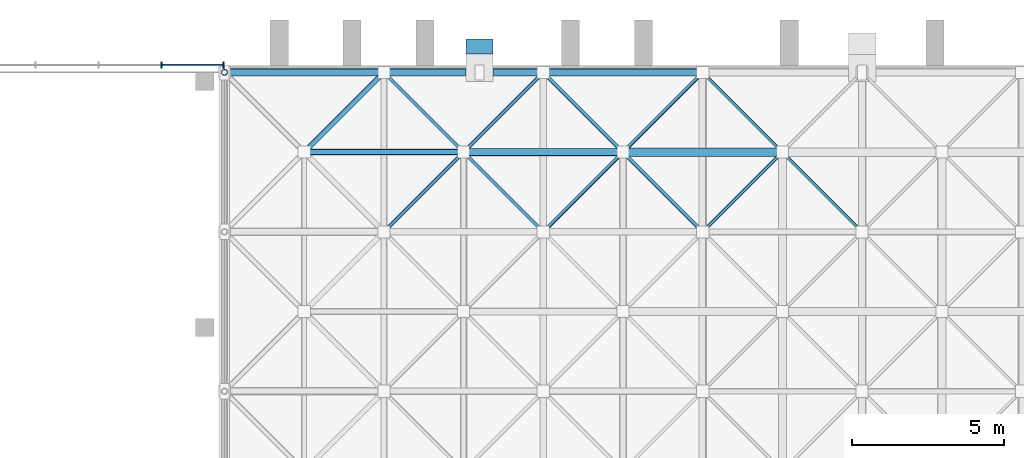
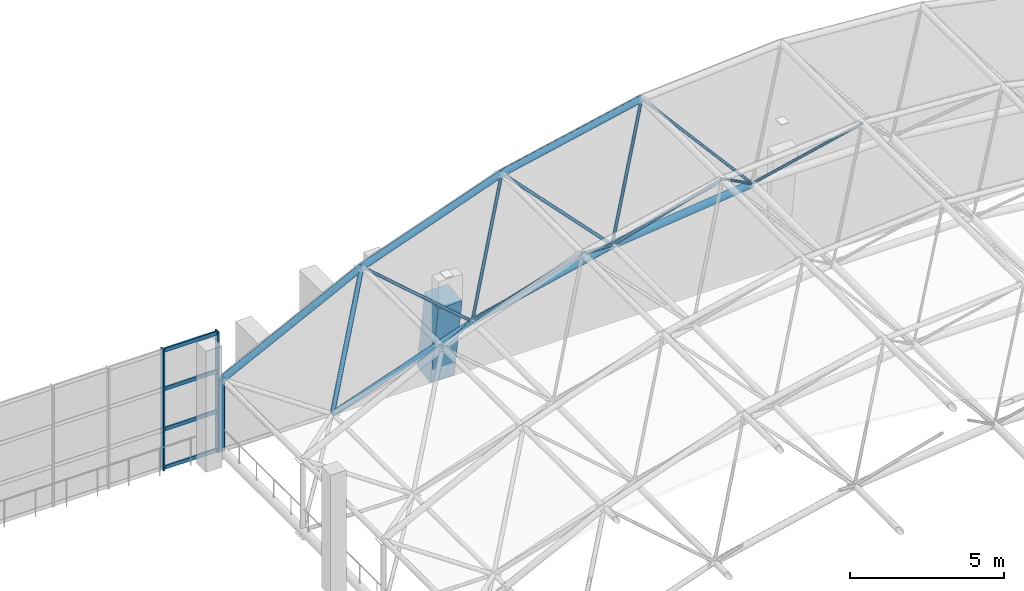
# One storey, part 28 of 100: 26 members, 1 element without a shape of its own.
"""IFC4 building model written with IfcOpenShell, lengths in metres."""

from ifc_helpers import new_model, si_unit, direction, frame, origin, origin_2d, place, context, subcontext, project, spatial, rectangle, hollow_circle, extrude, material, layer, layer_set, material_profile, profile_set, type_object, element, aggregate, save


model = new_model("IFC4")

# Units and contexts
model_context = context("Model", 3, precision=1e-05, world=origin(), true_north=direction((0.0, 1.0)))
body_context = subcontext(model_context, "Body", "Model", "MODEL_VIEW")
ifc_project = project(units=[si_unit("LENGTHUNIT", "METRE"), si_unit("AREAUNIT", "SQUARE_METRE"), si_unit("VOLUMEUNIT", "CUBIC_METRE"), si_unit("PLANEANGLEUNIT", "RADIAN"), si_unit("MASSUNIT", "GRAM", prefix="KILO")], contexts=[model_context])

# Site, building, storey
site_placement = place(None, origin())
site = spatial("IfcSite", under=ifc_project, at=site_placement, CompositionType="ELEMENT")
building_placement = place(site_placement, origin())
building = spatial("IfcBuilding", under=site, at=building_placement, Name="Kiln Court Media Centre", CompositionType="ELEMENT")
storey_placement = place(building_placement, frame((0.0, 0.0, 15.0)))
storey = spatial("IfcBuildingStorey", under=building, at=storey_placement, Name="L03", CompositionType="ELEMENT", Elevation=15.0)

# Curtain wall, members
ifc_material_1 = material(Name="Aluminium 6063-T6", Category="aluminium")
ifc_layer = layer(ifc_material_1, 0.1201171875)
ifc_layer_set = layer_set([ifc_layer], Name="Aluminium stick curtain wall, foyer")
curtain_wall_type = type_object("IfcCurtainWallType", Name="Aluminium stick curtain wall, foyer", PredefinedType="USERDEFINED", material=ifc_layer_set)
curtain_wall_placement = place(storey_placement, origin())
curtain_wall = element("IfcCurtainWall", 1, at=curtain_wall_placement, inside=storey, type_object=curtain_wall_type, Name="Foyer north glazing L03", ObjectType="STICK CURTAIN WALL", PredefinedType="USERDEFINED")
ifc_material_2 = material(Name="Aluminium 6063-T6", Category="aluminium")
ifc_material_profile_1 = material_profile(ifc_material_2, rectangle(XDim=0.06005859375, YDim=0.199951171875, at=origin_2d()), Name="Aluminium hall mullion 60x200")
ifc_profile_set_1 = profile_set([ifc_material_profile_1], Name="Aluminium 6063-T6")
member_type_1 = type_object("IfcMemberType", Name="Aluminium hall mullion 60x200", PredefinedType="MULLION", material=ifc_profile_set_1)
member_1_placement = place(storey_placement, frame((56.72509765625, 67.444580078125, 0.0), z_axis=(0.0, 0.0, 1.0), x_axis=(1.0, 0.0, 0.0)))
member_1 = element("IfcMember", 2, at=member_1_placement, type_object=member_type_1, Name="CW3-61 mullion 10", PredefinedType="MULLION", context=body_context, shape_type="SweptSolid", body=[
    extrude(rectangle(XDim=0.06005859375, YDim=0.199951171875, at=origin_2d()), origin(), (0.0, 0.0, 1.0), 4.800048828125),
])
member_2_placement = place(storey_placement, frame((58.77001953125, 67.444580078125, 0.0), z_axis=(0.0, 0.0, 1.0), x_axis=(1.0, 0.0, 0.0)))
member_2 = element("IfcMember", 3, at=member_2_placement, type_object=member_type_1, Name="CW3-61 mullion 11", PredefinedType="MULLION", context=body_context, shape_type="SweptSolid", body=[
    extrude(rectangle(XDim=0.06005859375, YDim=0.199951171875, at=origin_2d()), origin(), (0.0, 0.0, 1.0), 4.800048828125),
])
ifc_material_3 = material(Name="Aluminium 6063-T6", Category="aluminium")
ifc_material_profile_2 = material_profile(ifc_material_3, rectangle(XDim=0.06005859375, YDim=0.14990234375, at=origin_2d()), Name="Aluminium hall transom 60x150")
ifc_profile_set_2 = profile_set([ifc_material_profile_2], Name="Aluminium 6063-T6")
member_type_2 = type_object("IfcMemberType", Name="Aluminium hall transom 60x150", PredefinedType="USERDEFINED", material=ifc_profile_set_2)
member_3_placement = place(storey_placement, frame((56.7548828125, 67.444580078125, 0.074951171875), z_axis=(1.0, 0.0, 0.0), x_axis=(0.0, 1.0, 0.0)))
member_3 = element("IfcMember", 4, at=member_3_placement, type_object=member_type_2, Name="CW3-61 transom 10.1", ObjectType="TRANSOM", PredefinedType="USERDEFINED", context=body_context, shape_type="SweptSolid", body=[
    extrude(rectangle(XDim=0.06005859375, YDim=0.14990234375, at=origin_2d()), origin(), (0.0, 0.0, 1.0), 1.985107421875),
])
member_4_placement = place(storey_placement, frame((56.7548828125, 67.444580078125, 1.60009765625), z_axis=(1.0, 0.0, 0.0), x_axis=(0.0, 1.0, 0.0)))
member_4 = element("IfcMember", 5, at=member_4_placement, type_object=member_type_2, Name="CW3-61 transom 10.2", ObjectType="TRANSOM", PredefinedType="USERDEFINED", context=body_context, shape_type="SweptSolid", body=[
    extrude(rectangle(XDim=0.06005859375, YDim=0.14990234375, at=origin_2d()), origin(), (0.0, 0.0, 1.0), 1.985107421875),
])
member_5_placement = place(storey_placement, frame((56.7548828125, 67.444580078125, 3.199951171875), z_axis=(1.0, 0.0, 0.0), x_axis=(0.0, 1.0, 0.0)))
member_5 = element("IfcMember", 6, at=member_5_placement, type_object=member_type_2, Name="CW3-61 transom 10.3", ObjectType="TRANSOM", PredefinedType="USERDEFINED", context=body_context, shape_type="SweptSolid", body=[
    extrude(rectangle(XDim=0.06005859375, YDim=0.14990234375, at=origin_2d()), origin(), (0.0, 0.0, 1.0), 1.985107421875),
])
member_6_placement = place(storey_placement, frame((56.7548828125, 67.444580078125, 4.72509765625), z_axis=(1.0, 0.0, 0.0), x_axis=(0.0, 1.0, 0.0)))
member_6 = element("IfcMember", 7, at=member_6_placement, type_object=member_type_2, Name="CW3-61 transom 10.4", ObjectType="TRANSOM", PredefinedType="USERDEFINED", context=body_context, shape_type="SweptSolid", body=[
    extrude(rectangle(XDim=0.06005859375, YDim=0.14990234375, at=origin_2d()), origin(), (0.0, 0.0, 1.0), 1.985107421875),
])
aggregate(curtain_wall, [member_1, member_2, member_3, member_4, member_5, member_6])

# Members
ifc_material_4 = material(Name="Concrete C40/50", Category="concrete")
ifc_material_profile_3 = material_profile(ifc_material_4, rectangle(XDim=0.89990234375, YDim=0.89990234375, at=origin_2d()), Name="RC 900x900")
ifc_profile_set_3 = profile_set([ifc_material_profile_3], Name="Concrete C40/50")
member_type_3 = type_object("IfcMemberType", Name="Concrete C40/50 raked column 900x900", PredefinedType="STRUT", material=ifc_profile_set_3)
member_7_placement = place(storey_placement, frame((67.199951171875, 67.86279296875, 0.0), z_axis=(0.0, -0.153990121436, 0.988072387277), x_axis=(1.0, 0.0, 0.0)))
element("IfcMember", 8, at=member_7_placement, inside=storey, type_object=member_type_3, Name="L03-M-1000", PredefinedType="STRUT", context=body_context, shape_type="SweptSolid", body=[
    extrude(rectangle(XDim=0.89990234375, YDim=0.89990234375, at=origin_2d()), origin(), (0.0, 0.0, 1.0), 3.29296875),
])
ifc_material_5 = material(Name="Steel ASTM A500 Gr C", Category="steel")
ifc_material_profile_4 = material_profile(ifc_material_5, hollow_circle(Radius=0.05078125, WallThickness=0.0048828125, at=origin_2d()), Name="CHS 101.6x5.0")
ifc_profile_set_4 = profile_set([ifc_material_profile_4], Name="Steel ASTM A500 Gr C")
member_type_4 = type_object("IfcMemberType", Name="Steel ASTM A500 Gr C CHS 101.6x5.0 space frame brace", PredefinedType="BRACE", material=ifc_profile_set_4)
member_8_placement = place(storey_placement, frame((77.175048828125, 64.574951171875, 5.926513671875), z_axis=(-0.571963592053, -0.571963592053, 0.587975593653), x_axis=(0.707106781187, -0.707106781187, 0.0)))
element("IfcMember", 9, at=member_8_placement, inside=storey, type_object=member_type_4, Name="V1 roof diagonal 4-8 space frame brace", PredefinedType="BRACE", context=body_context, shape_type="SweptSolid", body=[
    extrude(hollow_circle(Radius=0.05078125, WallThickness=0.0048828125, at=origin_2d()), origin(), (0.0, 0.0, 1.0), 4.58935546875),
])
member_9_placement = place(storey_placement, frame((77.175048828125, 64.574951171875, 5.926513671875), z_axis=(0.544662450541, -0.544662450541, 0.637719083878), x_axis=(0.707106781187, 0.707106781187, 0.0)))
element("IfcMember", 10, at=member_9_placement, inside=storey, type_object=member_type_4, Name="V1 roof diagonal 4-8 space frame brace", PredefinedType="BRACE", context=body_context, shape_type="SweptSolid", body=[
    extrude(hollow_circle(Radius=0.05078125, WallThickness=0.0048828125, at=origin_2d()), origin(), (0.0, 0.0, 1.0), 4.819580078125),
])
member_10_placement = place(storey_placement, frame((77.175048828125, 64.574951171875, 5.926513671875), z_axis=(-0.571963592053, 0.571963592053, 0.587975593653), x_axis=(-0.707106781187, -0.707106781187, 0.0)))
element("IfcMember", 11, at=member_10_placement, inside=storey, type_object=member_type_4, Name="V1 roof diagonal 4-8 space frame brace", PredefinedType="BRACE", context=body_context, shape_type="SweptSolid", body=[
    extrude(hollow_circle(Radius=0.05078125, WallThickness=0.0048828125, at=origin_2d()), origin(), (0.0, 0.0, 1.0), 4.58935546875),
])
ifc_material_6 = material(Name="Steel ASTM A500 Gr C", Category="steel")
ifc_material_profile_5 = material_profile(ifc_material_6, hollow_circle(Radius=0.05712890625, WallThickness=0.0048828125, at=origin_2d()), Name="CHS 114.3x5.0")
ifc_profile_set_5 = profile_set([ifc_material_profile_5], Name="Steel ASTM A500 Gr C")
member_type_5 = type_object("IfcMemberType", Name="Steel ASTM A500 Gr C CHS 114.3x5.0 space frame brace", PredefinedType="BRACE", material=ifc_profile_set_5)
member_11_placement = place(storey_placement, frame((66.675048828125, 64.574951171875, 4.133544921875), z_axis=(-0.656133377529, -0.656133377529, 0.37279750775), x_axis=(0.707106781187, -0.707106781187, 0.0)))
element("IfcMember", 12, at=member_11_placement, inside=storey, type_object=member_type_5, Name="V1 roof diagonal 2-8 space frame brace", PredefinedType="BRACE", context=body_context, shape_type="SweptSolid", body=[
    extrude(hollow_circle(Radius=0.05712890625, WallThickness=0.0048828125, at=origin_2d()), origin(), (0.0, 0.0, 1.0), 4.000732421875),
])
member_12_placement = place(storey_placement, frame((66.675048828125, 64.574951171875, 4.133544921875), z_axis=(0.523804264708, -0.523804264708, 0.671757534046), x_axis=(0.707106781187, 0.707106781187, 0.0)))
element("IfcMember", 13, at=member_12_placement, inside=storey, type_object=member_type_5, Name="V1 roof diagonal 2-8 space frame brace", PredefinedType="BRACE", context=body_context, shape_type="SweptSolid", body=[
    extrude(hollow_circle(Radius=0.05712890625, WallThickness=0.0048828125, at=origin_2d()), origin(), (0.0, 0.0, 1.0), 5.011474609375),
])
member_13_placement = place(storey_placement, frame((66.675048828125, 64.574951171875, 4.133544921875), z_axis=(-0.656133377529, 0.656133377529, 0.37279750775), x_axis=(-0.707106781187, -0.707106781187, 0.0)))
element("IfcMember", 14, at=member_13_placement, inside=storey, type_object=member_type_5, Name="V1 roof diagonal 2-8 space frame brace", PredefinedType="BRACE", context=body_context, shape_type="SweptSolid", body=[
    extrude(hollow_circle(Radius=0.05712890625, WallThickness=0.0048828125, at=origin_2d()), origin(), (0.0, 0.0, 1.0), 4.000732421875),
])
member_14_placement = place(storey_placement, frame((66.675048828125, 64.574951171875, 4.133544921875), z_axis=(0.523804264708, 0.523804264708, 0.671757534046), x_axis=(-0.707106781187, 0.707106781187, 0.0)))
element("IfcMember", 15, at=member_14_placement, inside=storey, type_object=member_type_5, Name="V1 roof diagonal 2-8 space frame brace", PredefinedType="BRACE", context=body_context, shape_type="SweptSolid", body=[
    extrude(hollow_circle(Radius=0.05712890625, WallThickness=0.0048828125, at=origin_2d()), origin(), (0.0, 0.0, 1.0), 5.011474609375),
])
member_15_placement = place(storey_placement, frame((71.925048828125, 64.574951171875, 5.333984375), z_axis=(-0.61074803366, -0.61074803366, 0.503958012894), x_axis=(0.707106781187, -0.707106781187, 0.0)))
element("IfcMember", 16, at=member_15_placement, inside=storey, type_object=member_type_5, Name="V1 roof diagonal 3-8 space frame brace", PredefinedType="BRACE", context=body_context, shape_type="SweptSolid", body=[
    extrude(hollow_circle(Radius=0.05712890625, WallThickness=0.0048828125, at=origin_2d()), origin(), (0.0, 0.0, 1.0), 4.298095703125),
])
member_16_placement = place(storey_placement, frame((71.925048828125, 64.574951171875, 5.333984375), z_axis=(0.529121679325, -0.529121679325, 0.663370557785), x_axis=(0.707106781187, 0.707106781187, 0.0)))
element("IfcMember", 17, at=member_16_placement, inside=storey, type_object=member_type_5, Name="V1 roof diagonal 3-8 space frame brace", PredefinedType="BRACE", context=body_context, shape_type="SweptSolid", body=[
    extrude(hollow_circle(Radius=0.05712890625, WallThickness=0.0048828125, at=origin_2d()), origin(), (0.0, 0.0, 1.0), 4.9609375),
])
member_17_placement = place(storey_placement, frame((71.925048828125, 64.574951171875, 5.333984375), z_axis=(-0.61074803366, 0.61074803366, 0.503958012894), x_axis=(-0.707106781187, -0.707106781187, 0.0)))
element("IfcMember", 18, at=member_17_placement, inside=storey, type_object=member_type_5, Name="V1 roof diagonal 3-8 space frame brace", PredefinedType="BRACE", context=body_context, shape_type="SweptSolid", body=[
    extrude(hollow_circle(Radius=0.05712890625, WallThickness=0.0048828125, at=origin_2d()), origin(), (0.0, 0.0, 1.0), 4.298095703125),
])
member_18_placement = place(storey_placement, frame((71.925048828125, 64.574951171875, 5.333984375), z_axis=(0.529121679325, 0.529121679325, 0.663370557785), x_axis=(-0.707106781187, 0.707106781187, 0.0)))
element("IfcMember", 19, at=member_18_placement, inside=storey, type_object=member_type_5, Name="V1 roof diagonal 3-8 space frame brace", PredefinedType="BRACE", context=body_context, shape_type="SweptSolid", body=[
    extrude(hollow_circle(Radius=0.05712890625, WallThickness=0.0048828125, at=origin_2d()), origin(), (0.0, 0.0, 1.0), 4.9609375),
])
ifc_material_7 = material(Name="Steel ASTM A500 Gr C", Category="steel")
ifc_material_profile_6 = material_profile(ifc_material_7, hollow_circle(Radius=0.084228515625, WallThickness=0.00634765625, at=origin_2d()), Name="CHS 168.3x6.3")
ifc_profile_set_6 = profile_set([ifc_material_profile_6], Name="Steel ASTM A500 Gr C")
member_type_6 = type_object("IfcMemberType", Name="Steel ASTM A500 Gr C CHS 168.3x6.3 space frame brace", PredefinedType="BRACE", material=ifc_profile_set_6)
member_19_placement = place(storey_placement, frame((61.425048828125, 64.574951171875, 2.2978515625), z_axis=(0.526569761857, 0.526569761857, 0.667419337295), x_axis=(-0.707106781187, 0.707106781187, 0.0)))
element("IfcMember", 20, at=member_19_placement, inside=storey, type_object=member_type_6, Name="V1 roof diagonal 1-8 space frame brace", PredefinedType="BRACE", context=body_context, shape_type="SweptSolid", body=[
    extrude(hollow_circle(Radius=0.084228515625, WallThickness=0.00634765625, at=origin_2d()), origin(), (0.0, 0.0, 1.0), 4.985107421875),
])
ifc_material_8 = material(Name="Steel ASTM A500 Gr C", Category="steel")
ifc_material_profile_7 = material_profile(ifc_material_8, hollow_circle(Radius=0.096923828125, WallThickness=0.008056640625, at=origin_2d()), Name="CHS 193.7x8.0")
ifc_profile_set_7 = profile_set([ifc_material_profile_7], Name="Steel ASTM A500 Gr C")
member_type_7 = type_object("IfcMemberType", Name="Steel ASTM A500 Gr C CHS 193.7x8.0 space frame chord", PredefinedType="CHORD", material=ifc_profile_set_7)
member_20_placement = place(storey_placement, frame((61.425048828125, 64.574951171875, 2.2978515625), z_axis=(0.943959597571, 0.0, 0.330061021863), x_axis=(0.0, 1.0, 0.0)))
element("IfcMember", 21, at=member_20_placement, inside=storey, type_object=member_type_7, Name="V1 roof bottom chord across line 8 space frame chord", PredefinedType="CHORD", context=body_context, shape_type="SweptSolid", body=[
    extrude(hollow_circle(Radius=0.096923828125, WallThickness=0.008056640625, at=origin_2d()), origin(), (0.0, 0.0, 1.0), 5.561767578125),
])
ifc_material_9 = material(Name="Steel ASTM A500 Gr C", Category="steel")
ifc_material_profile_8 = material_profile(ifc_material_9, hollow_circle(Radius=0.096923828125, WallThickness=0.008056640625, at=origin_2d()), Name="CHS 193.7x8.0")
ifc_profile_set_8 = profile_set([ifc_material_profile_8], Name="Steel ASTM A500 Gr C")
member_type_8 = type_object("IfcMemberType", Name="Steel ASTM A500 Gr C CHS 193.7x8.0 space frame strut", PredefinedType="STRUT", material=ifc_profile_set_8)
member_21_placement = place(storey_placement, frame((58.800048828125, 67.199951171875, 0.18994140625), z_axis=(0.0, 0.0, 1.0), x_axis=(1.0, 0.0, 0.0)))
element("IfcMember", 22, at=member_21_placement, inside=storey, type_object=member_type_8, Name="V1 roof bearing post first 9 space frame strut", PredefinedType="STRUT", context=body_context, shape_type="SweptSolid", body=[
    extrude(hollow_circle(Radius=0.096923828125, WallThickness=0.008056640625, at=origin_2d()), origin(), (0.0, 0.0, 1.0), 2.81005859375),
])
ifc_material_10 = material(Name="Steel ASTM A500 Gr C", Category="steel")
ifc_material_profile_9 = material_profile(ifc_material_10, hollow_circle(Radius=0.122314453125, WallThickness=0.010009765625, at=origin_2d()), Name="CHS 244.5x10.0")
ifc_profile_set_9 = profile_set([ifc_material_profile_9], Name="Steel ASTM A500 Gr C")
member_type_9 = type_object("IfcMemberType", Name="Steel ASTM A500 Gr C CHS 244.5x10.0 space frame chord", PredefinedType="CHORD", material=ifc_profile_set_9)
member_22_placement = place(storey_placement, frame((58.800048828125, 67.199951171875, 3.0), z_axis=(0.894427191, 0.0, 0.4472135955), x_axis=(0.0, 1.0, 0.0)))
element("IfcMember", 23, at=member_22_placement, inside=storey, type_object=member_type_9, Name="V1 roof top chord across line 9 space frame chord", PredefinedType="CHORD", context=body_context, shape_type="SweptSolid", body=[
    extrude(hollow_circle(Radius=0.122314453125, WallThickness=0.010009765625, at=origin_2d()), origin(), (0.0, 0.0, 1.0), 5.86962890625),
])
member_23_placement = place(storey_placement, frame((64.050048828125, 67.199951171875, 5.625), z_axis=(0.941741911595, 0.0, 0.336336396998), x_axis=(0.0, 1.0, 0.0)))
element("IfcMember", 24, at=member_23_placement, inside=storey, type_object=member_type_9, Name="V1 roof top chord across line 9 space frame chord", PredefinedType="CHORD", context=body_context, shape_type="SweptSolid", body=[
    extrude(hollow_circle(Radius=0.122314453125, WallThickness=0.010009765625, at=origin_2d()), origin(), (0.0, 0.0, 1.0), 5.57470703125),
])
member_24_placement = place(storey_placement, frame((69.300048828125, 67.199951171875, 7.5), z_axis=(0.977802414077, 0.0, 0.209529088731), x_axis=(0.0, 1.0, 0.0)))
element("IfcMember", 25, at=member_24_placement, inside=storey, type_object=member_type_9, Name="V1 roof top chord across line 9 space frame chord", PredefinedType="CHORD", context=body_context, shape_type="SweptSolid", body=[
    extrude(hollow_circle(Radius=0.122314453125, WallThickness=0.010009765625, at=origin_2d()), origin(), (0.0, 0.0, 1.0), 5.369140625),
])
member_25_placement = place(storey_placement, frame((66.675048828125, 64.574951171875, 4.133544921875), z_axis=(0.97484077825, 0.0, 0.22290234871), x_axis=(0.0, 1.0, 0.0)))
element("IfcMember", 26, at=member_25_placement, inside=storey, type_object=member_type_9, Name="V1 roof bottom chord across line 8 space frame chord", PredefinedType="CHORD", context=body_context, shape_type="SweptSolid", body=[
    extrude(hollow_circle(Radius=0.122314453125, WallThickness=0.010009765625, at=origin_2d()), origin(), (0.0, 0.0, 1.0), 5.385498046875),
])
ifc_material_11 = material(Name="Steel ASTM A500 Gr C", Category="steel")
ifc_material_profile_10 = material_profile(ifc_material_11, hollow_circle(Radius=0.136474609375, WallThickness=0.010009765625, at=origin_2d()), Name="CHS 273.0x10.0")
ifc_profile_set_10 = profile_set([ifc_material_profile_10], Name="Steel ASTM A500 Gr C")
member_type_10 = type_object("IfcMemberType", Name="Steel ASTM A500 Gr C CHS 273.0x10.0 space frame chord", PredefinedType="CHORD", material=ifc_profile_set_10)
member_26_placement = place(storey_placement, frame((71.925048828125, 64.574951171875, 5.333984375), z_axis=(0.993691210277, 0.0, 0.112150696026), x_axis=(0.0, 1.0, 0.0)))
element("IfcMember", 27, at=member_26_placement, inside=storey, type_object=member_type_10, Name="V1 roof bottom chord across line 8 space frame chord", PredefinedType="CHORD", context=body_context, shape_type="SweptSolid", body=[
    extrude(hollow_circle(Radius=0.136474609375, WallThickness=0.010009765625, at=origin_2d()), origin(), (0.0, 0.0, 1.0), 5.283447265625),
])

save(model, "model.ifc")
